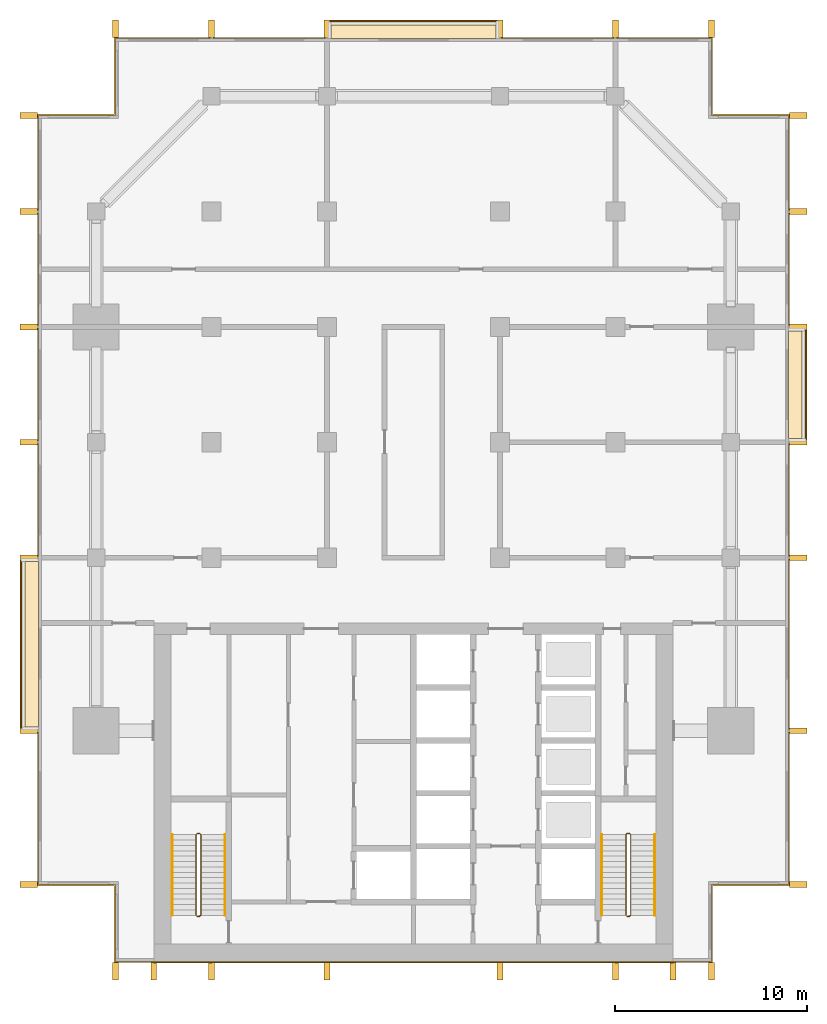
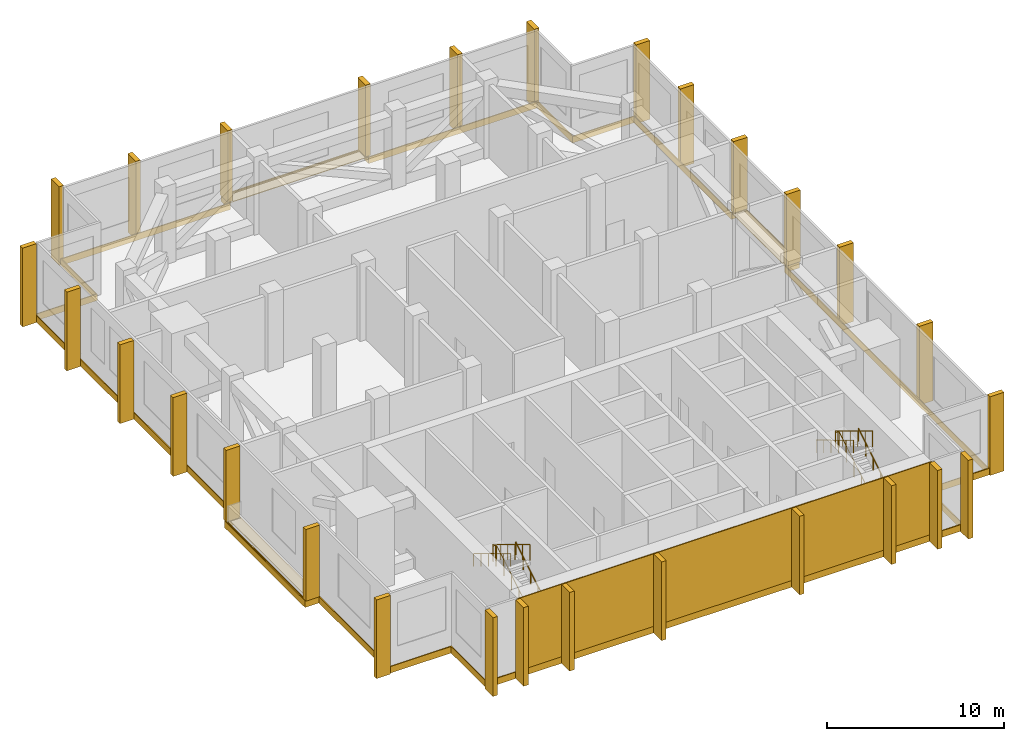
# One storey, part 10 of 11: 28 shading devices, 9 coverings, 6 railings.
"""IFC4 building model written with IfcOpenShell, lengths in metres."""

from ifc_helpers import new_model, si_unit, direction, frame, origin, origin_2d, place, context, subcontext, project, spatial, polyline, rectangle, circle, outline, extrude, material, layer, layer_set, type_object, element, save


model = new_model("IFC4")

# Units and contexts
model_context = context("Model", 3, precision=1e-05, world=origin(), true_north=direction((0.0, 1.0)))
body_context = subcontext(model_context, "Body", "Model", "MODEL_VIEW")
ifc_project = project(units=[si_unit("LENGTHUNIT", "METRE"), si_unit("AREAUNIT", "SQUARE_METRE"), si_unit("VOLUMEUNIT", "CUBIC_METRE"), si_unit("PLANEANGLEUNIT", "RADIAN"), si_unit("MASSUNIT", "GRAM", prefix="KILO")], contexts=[model_context])

# Site, building, storey
site_placement = place(None, origin())
site = spatial("IfcSite", under=ifc_project, at=site_placement, CompositionType="ELEMENT")
building_placement = place(site_placement, origin())
building = spatial("IfcBuilding", under=site, at=building_placement, Name="Finial Court Residences", CompositionType="ELEMENT")
storey_placement = place(building_placement, frame((0.0, 0.0, 199.699951171875)))
storey = spatial("IfcBuildingStorey", under=building, at=storey_placement, Name="L50", CompositionType="ELEMENT", Elevation=199.699951171875)

# Coverings
ifc_material_1 = material(Name="Natural limestone", Category="masonry")
ifc_layer_1 = layer(ifc_material_1, 0.06005859375)
ifc_layer_set_1 = layer_set([ifc_layer_1], Name="Limestone cladding to the blind core face 60")
covering_type_1 = type_object("IfcCoveringType", Name="Limestone cladding to the blind core face 60", PredefinedType="CLADDING", material=ifc_layer_set_1)
covering_1_placement = place(storey_placement, origin())
element("IfcCovering", 1, at=covering_1_placement, inside=storey, type_object=covering_type_1, Name="E-L50-CLAD1", PredefinedType="CLADDING", context=body_context, shape_type="SweptSolid", body=[
    extrude(outline(polyline([(-10.5, -25.56005859375), (-10.5, -25.5), (-13.5, -25.5), (-13.5, -25.56005859375), (-10.5, -25.56005859375)])), origin(), (0.0, 0.0, 1.0), 5.0),
])
covering_2_placement = place(storey_placement, origin())
element("IfcCovering", 2, at=covering_2_placement, inside=storey, type_object=covering_type_1, Name="E-L50-CLAD2", PredefinedType="CLADDING", context=body_context, shape_type="SweptSolid", body=[
    extrude(outline(polyline([(-4.5, -25.56005859375), (-4.5, -25.5), (-10.5, -25.5), (-10.5, -25.56005859375), (-4.5, -25.56005859375)])), origin(), (0.0, 0.0, 1.0), 5.0),
])
covering_3_placement = place(storey_placement, origin())
element("IfcCovering", 3, at=covering_3_placement, inside=storey, type_object=covering_type_1, Name="E-L50-CLAD3", PredefinedType="CLADDING", context=body_context, shape_type="SweptSolid", body=[
    extrude(outline(polyline([(4.5, -25.56005859375), (4.5, -25.5), (-4.5, -25.5), (-4.5, -25.56005859375), (4.5, -25.56005859375)])), origin(), (0.0, 0.0, 1.0), 5.0),
])
covering_4_placement = place(storey_placement, origin())
element("IfcCovering", 4, at=covering_4_placement, inside=storey, type_object=covering_type_1, Name="E-L50-CLAD4", PredefinedType="CLADDING", context=body_context, shape_type="SweptSolid", body=[
    extrude(outline(polyline([(10.5, -25.56005859375), (10.5, -25.5), (4.5, -25.5), (4.5, -25.56005859375), (10.5, -25.56005859375)])), origin(), (0.0, 0.0, 1.0), 5.0),
])
covering_5_placement = place(storey_placement, origin())
element("IfcCovering", 5, at=covering_5_placement, inside=storey, type_object=covering_type_1, Name="E-L50-CLAD5", PredefinedType="CLADDING", context=body_context, shape_type="SweptSolid", body=[
    extrude(outline(polyline([(13.5, -25.56005859375), (13.5, -25.5), (10.5, -25.5), (10.5, -25.56005859375), (13.5, -25.56005859375)])), origin(), (0.0, 0.0, 1.0), 5.0),
])

# Shading devices
shading_device_type = type_object("IfcShadingDeviceType", Name="Limestone fin 300 x 900", PredefinedType="USERDEFINED", material=ifc_material_1)
for number, where, z_axis, x_axis, name in (
    (6, (-15.5, 23.010009765625, -0.44970703125), (0.0, 0.0, 1.0), (1.0, 0.0, 0.0), "E-L50-FIN-N1"),
    (7, (-10.5, 23.010009765625, -0.44970703125), (0.0, 0.0, 1.0), (1.0, 0.0, 0.0), "E-L50-FIN-N2"),
):
    element("IfcShadingDevice", number, at=place(storey_placement, frame(where, z_axis=z_axis, x_axis=x_axis)), inside=storey, type_object=shading_device_type, Name=name, ObjectType="FIN", PredefinedType="USERDEFINED", context=body_context, shape_type="SweptSolid", body=[
        extrude(rectangle(XDim=0.300048828125, YDim=0.89990234375, at=origin_2d()), origin(), (0.0, 0.0, 1.0), 5.429931640625),
    ])
for number, where, z_axis, x_axis, name in (
    (8, (-4.5, 23.010009765625, 0.0400390625), (0.0, 0.0, 1.0), (1.0, 0.0, 0.0), "E-L50-FIN-N3"),
    (9, (4.5, 23.010009765625, 0.0400390625), (0.0, 0.0, 1.0), (1.0, 0.0, 0.0), "E-L50-FIN-N4"),
):
    element("IfcShadingDevice", number, at=place(storey_placement, frame(where, z_axis=z_axis, x_axis=x_axis)), inside=storey, type_object=shading_device_type, Name=name, ObjectType="FIN", PredefinedType="USERDEFINED", context=body_context, shape_type="SweptSolid", body=[
        extrude(rectangle(XDim=0.300048828125, YDim=0.89990234375, at=origin_2d()), origin(), (0.0, 0.0, 1.0), 4.93994140625),
    ])
for number, where, z_axis, x_axis, name in (
    (10, (10.5, 23.010009765625, -0.44970703125), (0.0, 0.0, 1.0), (1.0, 0.0, 0.0), "E-L50-FIN-N5"),
    (11, (15.5, 23.010009765625, -0.44970703125), (0.0, 0.0, 1.0), (1.0, 0.0, 0.0), "E-L50-FIN-N6"),
):
    element("IfcShadingDevice", number, at=place(storey_placement, frame(where, z_axis=z_axis, x_axis=x_axis)), inside=storey, type_object=shading_device_type, Name=name, ObjectType="FIN", PredefinedType="USERDEFINED", context=body_context, shape_type="SweptSolid", body=[
        extrude(rectangle(XDim=0.300048828125, YDim=0.89990234375, at=origin_2d()), origin(), (0.0, 0.0, 1.0), 5.429931640625),
    ])
for number, where, z_axis, x_axis, name in (
    (12, (20.010009765625, -21.5, -0.44970703125), (0.0, 0.0, 1.0), (1.0, 0.0, 0.0), "E-L50-FIN-E7"),
    (13, (20.010009765625, -13.5, -0.44970703125), (0.0, 0.0, 1.0), (1.0, 0.0, 0.0), "E-L50-FIN-E8"),
    (14, (20.010009765625, -4.5, -0.44970703125), (0.0, 0.0, 1.0), (1.0, 0.0, 0.0), "E-L50-FIN-E9"),
):
    element("IfcShadingDevice", number, at=place(storey_placement, frame(where, z_axis=z_axis, x_axis=x_axis)), inside=storey, type_object=shading_device_type, Name=name, ObjectType="FIN", PredefinedType="USERDEFINED", context=body_context, shape_type="SweptSolid", body=[
        extrude(rectangle(XDim=0.89990234375, YDim=0.300048828125, at=origin_2d()), origin(), (0.0, 0.0, 1.0), 5.429931640625),
    ])
for number, where, z_axis, x_axis, name in (
    (15, (20.010009765625, 1.5, 0.0400390625), (0.0, 0.0, 1.0), (1.0, 0.0, 0.0), "E-L50-FIN-E10"),
    (16, (20.010009765625, 7.5, 0.0400390625), (0.0, 0.0, 1.0), (1.0, 0.0, 0.0), "E-L50-FIN-E11"),
):
    element("IfcShadingDevice", number, at=place(storey_placement, frame(where, z_axis=z_axis, x_axis=x_axis)), inside=storey, type_object=shading_device_type, Name=name, ObjectType="FIN", PredefinedType="USERDEFINED", context=body_context, shape_type="SweptSolid", body=[
        extrude(rectangle(XDim=0.89990234375, YDim=0.300048828125, at=origin_2d()), origin(), (0.0, 0.0, 1.0), 4.93994140625),
    ])
for number, where, z_axis, x_axis, name in (
    (17, (20.010009765625, 13.5, -0.44970703125), (0.0, 0.0, 1.0), (1.0, 0.0, 0.0), "E-L50-FIN-E12"),
    (18, (20.010009765625, 18.5, -0.44970703125), (0.0, 0.0, 1.0), (1.0, 0.0, 0.0), "E-L50-FIN-E13"),
):
    element("IfcShadingDevice", number, at=place(storey_placement, frame(where, z_axis=z_axis, x_axis=x_axis)), inside=storey, type_object=shading_device_type, Name=name, ObjectType="FIN", PredefinedType="USERDEFINED", context=body_context, shape_type="SweptSolid", body=[
        extrude(rectangle(XDim=0.89990234375, YDim=0.300048828125, at=origin_2d()), origin(), (0.0, 0.0, 1.0), 5.429931640625),
    ])
for number, where, z_axis, x_axis, name in (
    (19, (-15.5, -26.010009765625, -0.44970703125), (0.0, 0.0, 1.0), (1.0, 0.0, 0.0), "E-L50-FIN-S14"),
    (20, (-13.5, -26.010009765625, -0.44970703125), (0.0, 0.0, 1.0), (1.0, 0.0, 0.0), "E-L50-FIN-S15"),
    (21, (-10.5, -26.010009765625, -0.44970703125), (0.0, 0.0, 1.0), (1.0, 0.0, 0.0), "E-L50-FIN-S16"),
    (22, (-4.5, -26.010009765625, -0.44970703125), (0.0, 0.0, 1.0), (1.0, 0.0, 0.0), "E-L50-FIN-S17"),
    (23, (4.5, -26.010009765625, -0.44970703125), (0.0, 0.0, 1.0), (1.0, 0.0, 0.0), "E-L50-FIN-S18"),
    (24, (10.5, -26.010009765625, -0.44970703125), (0.0, 0.0, 1.0), (1.0, 0.0, 0.0), "E-L50-FIN-S19"),
    (25, (13.5, -26.010009765625, -0.44970703125), (0.0, 0.0, 1.0), (1.0, 0.0, 0.0), "E-L50-FIN-S20"),
    (26, (15.5, -26.010009765625, -0.44970703125), (0.0, 0.0, 1.0), (1.0, 0.0, 0.0), "E-L50-FIN-S21"),
):
    element("IfcShadingDevice", number, at=place(storey_placement, frame(where, z_axis=z_axis, x_axis=x_axis)), inside=storey, type_object=shading_device_type, Name=name, ObjectType="FIN", PredefinedType="USERDEFINED", context=body_context, shape_type="SweptSolid", body=[
        extrude(rectangle(XDim=0.300048828125, YDim=0.89990234375, at=origin_2d()), origin(), (0.0, 0.0, 1.0), 5.429931640625),
    ])
shading_device_placement = place(storey_placement, frame((-20.010009765625, -21.5, -0.44970703125), z_axis=(0.0, 0.0, 1.0), x_axis=(1.0, 0.0, 0.0)))
element("IfcShadingDevice", 27, at=shading_device_placement, inside=storey, type_object=shading_device_type, Name="E-L50-FIN-W22", ObjectType="FIN", PredefinedType="USERDEFINED", context=body_context, shape_type="SweptSolid", body=[
    extrude(rectangle(XDim=0.89990234375, YDim=0.300048828125, at=origin_2d()), origin(), (0.0, 0.0, 1.0), 5.429931640625),
])
for number, where, z_axis, x_axis, name in (
    (28, (-20.010009765625, -13.5, 0.0400390625), (0.0, 0.0, 1.0), (1.0, 0.0, 0.0), "E-L50-FIN-W23"),
    (29, (-20.010009765625, -4.5, 0.0400390625), (0.0, 0.0, 1.0), (1.0, 0.0, 0.0), "E-L50-FIN-W24"),
):
    element("IfcShadingDevice", number, at=place(storey_placement, frame(where, z_axis=z_axis, x_axis=x_axis)), inside=storey, type_object=shading_device_type, Name=name, ObjectType="FIN", PredefinedType="USERDEFINED", context=body_context, shape_type="SweptSolid", body=[
        extrude(rectangle(XDim=0.89990234375, YDim=0.300048828125, at=origin_2d()), origin(), (0.0, 0.0, 1.0), 4.93994140625),
    ])
for number, where, z_axis, x_axis, name in (
    (30, (-20.010009765625, 1.5, -0.44970703125), (0.0, 0.0, 1.0), (1.0, 0.0, 0.0), "E-L50-FIN-W25"),
    (31, (-20.010009765625, 7.5, -0.44970703125), (0.0, 0.0, 1.0), (1.0, 0.0, 0.0), "E-L50-FIN-W26"),
    (32, (-20.010009765625, 13.5, -0.44970703125), (0.0, 0.0, 1.0), (1.0, 0.0, 0.0), "E-L50-FIN-W27"),
    (33, (-20.010009765625, 18.5, -0.44970703125), (0.0, 0.0, 1.0), (1.0, 0.0, 0.0), "E-L50-FIN-W28"),
):
    element("IfcShadingDevice", number, at=place(storey_placement, frame(where, z_axis=z_axis, x_axis=x_axis)), inside=storey, type_object=shading_device_type, Name=name, ObjectType="FIN", PredefinedType="USERDEFINED", context=body_context, shape_type="SweptSolid", body=[
        extrude(rectangle(XDim=0.89990234375, YDim=0.300048828125, at=origin_2d()), origin(), (0.0, 0.0, 1.0), 5.429931640625),
    ])

# Coverings
ifc_material_2 = material(Name="Pale limestone", Category="masonry")
ifc_layer_2 = layer(ifc_material_2, 0.06005859375)
ifc_layer_set_2 = layer_set([ifc_layer_2], Name="Pale limestone slab-edge band 60")
covering_type_2 = type_object("IfcCoveringType", Name="Pale limestone slab-edge band 60", PredefinedType="CLADDING", material=ifc_layer_set_2)
covering_6_placement = place(storey_placement, frame((0.0, 0.0, -0.449951171875)))
element("IfcCovering", 34, at=covering_6_placement, inside=storey, type_object=covering_type_2, Name="E-L50-BAND1", PredefinedType="CLADDING", context=body_context, shape_type="SweptSolid", body=[
    extrude(outline(polyline([(-19.56005859375, 18.56005859375), (-15.56005859375, 18.56005859375), (-15.56005859375, 22.56005859375), (-4.56005859375, 22.56005859375), (-4.56005859375, 23.4599609375), (4.56005859375, 23.4599609375), (4.56005859375, 22.56005859375), (15.56005859375, 22.56005859375), (15.56005859375, 18.56005859375), (19.56005859375, 18.56005859375), (19.56005859375, 7.56005859375), (20.4599609375, 7.56005859375), (20.4599609375, 1.43994140625), (19.56005859375, 1.43994140625), (19.56005859375, -21.56005859375), (15.56005859375, -21.56005859375), (15.56005859375, -25.56005859375), (-15.56005859375, -25.56005859375), (-15.56005859375, -21.56005859375), (-19.56005859375, -21.56005859375), (-19.56005859375, -13.56005859375), (-20.4599609375, -13.56005859375), (-20.4599609375, -4.43994140625), (-19.56005859375, -4.43994140625), (-19.56005859375, 18.56005859375)]), holes=[polyline([(-20.39990234375, -4.5), (-20.39990234375, -13.5), (-19.5, -13.5), (-19.5, -21.5), (-15.5, -21.5), (-15.5, -25.5), (15.5, -25.5), (15.5, -21.5), (19.5, -21.5), (19.5, 1.5), (20.39990234375, 1.5), (20.39990234375, 7.5), (19.5, 7.5), (19.5, 18.5), (15.5, 18.5), (15.5, 22.5), (4.5, 22.5), (4.5, 23.39990234375), (-4.5, 23.39990234375), (-4.5, 22.5), (-15.5, 22.5), (-15.5, 18.5), (-19.5, 18.5), (-19.5, -4.5), (-20.39990234375, -4.5)])]), origin(), (0.0, 0.0, 1.0), 0.449951171875),
])
ifc_material_3 = material(Name="Bitumen membrane")
ifc_layer_3 = layer(ifc_material_3, 0.0400390625)
ifc_layer_set_3 = layer_set([ifc_layer_3], Name="Push box roofing, bitumen membrane 40")
covering_type_3 = type_object("IfcCoveringType", Name="Push box roofing, bitumen membrane 40", PredefinedType="ROOFING", material=ifc_layer_set_3)
covering_7_placement = place(storey_placement, origin())
element("IfcCovering", 35, at=covering_7_placement, inside=storey, type_object=covering_type_3, Name="E-L50-LED1b", PredefinedType="ROOFING", context=body_context, shape_type="SweptSolid", body=[
    extrude(outline(polyline([(4.5, 22.5), (-4.5, 22.5), (-4.5, 23.39990234375), (4.300048828125, 23.39990234375), (4.300048828125, 23.35009765625), (-4.300048828125, 23.35009765625), (-4.300048828125, 23.35009765625), (-4.449951171875, 23.35009765625), (-4.449951171875, 22.510009765625), (-4.300048828125, 22.510009765625), (-4.300048828125, 23.199951171875), (4.300048828125, 23.199951171875), (4.300048828125, 22.510009765625), (4.449951171875, 22.510009765625), (4.449951171875, 23.199951171875), (4.5, 23.199951171875), (4.5, 22.5)])), origin(), (0.0, 0.0, 1.0), 0.0400390625),
])
covering_8_placement = place(storey_placement, origin())
element("IfcCovering", 36, at=covering_8_placement, inside=storey, type_object=covering_type_3, Name="E-L50-LED2b", PredefinedType="ROOFING", context=body_context, shape_type="SweptSolid", body=[
    extrude(outline(polyline([(19.5, 1.5), (19.5, 7.5), (20.39990234375, 7.5), (20.39990234375, 1.699951171875), (20.35009765625, 1.699951171875), (20.35009765625, 7.300048828125), (20.35009765625, 7.300048828125), (20.35009765625, 7.449951171875), (19.510009765625, 7.449951171875), (19.510009765625, 7.300048828125), (20.199951171875, 7.300048828125), (20.199951171875, 1.699951171875), (19.510009765625, 1.699951171875), (19.510009765625, 1.550048828125), (20.199951171875, 1.550048828125), (20.199951171875, 1.5), (19.5, 1.5)])), origin(), (0.0, 0.0, 1.0), 0.0400390625),
])
covering_9_placement = place(storey_placement, origin())
element("IfcCovering", 37, at=covering_9_placement, inside=storey, type_object=covering_type_3, Name="E-L50-LED3b", PredefinedType="ROOFING", context=body_context, shape_type="SweptSolid", body=[
    extrude(outline(polyline([(-19.5, -4.5), (-19.5, -13.5), (-20.39990234375, -13.5), (-20.39990234375, -4.699951171875), (-20.35009765625, -4.699951171875), (-20.35009765625, -13.300048828125), (-20.35009765625, -13.300048828125), (-20.35009765625, -13.449951171875), (-19.510009765625, -13.449951171875), (-19.510009765625, -13.300048828125), (-20.199951171875, -13.300048828125), (-20.199951171875, -4.699951171875), (-19.510009765625, -4.699951171875), (-19.510009765625, -4.550048828125), (-20.199951171875, -4.550048828125), (-20.199951171875, -4.5), (-19.5, -4.5)])), origin(), (0.0, 0.0, 1.0), 0.0400390625),
])

# Railings
ifc_material_4 = material(Name="Stainless steel railing", Category="steel")
railing_type_1 = type_object("IfcRailingType", Name="Stair guard 1100", PredefinedType="GUARDRAIL", material=ifc_material_4)
railing_1_placement = place(storey_placement, frame((-11.10009765625, -23.14990234375, 0.0)))
element("IfcRailing", 38, at=railing_1_placement, inside=storey, type_object=railing_type_1, Name="L50 ST-1 stair guard 1", PredefinedType="GUARDRAIL", context=body_context, shape_type="SweptSolid", body=[
    extrude(circle(Radius=0.02392578125, at=origin_2d()), frame((0.0, 0.0, 1.076171875), z_axis=(-1.0, 0.0, 0.0), x_axis=(0.0, -1.0, 0.0)), (0.0, 0.0, 1.0), 0.14990234375),
    extrude(circle(Radius=0.02392578125, at=origin_2d()), frame((-0.14990234375, 0.0, 1.076171875), z_axis=(0.750820867278, 0.187017651923, 0.633476458228), x_axis=(-0.241699205484, 0.970351222016, 0.0)), (0.0, 0.0, 1.0), 0.266357421875),
    extrude(circle(Radius=0.02392578125, at=origin_2d()), frame((0.050048828125, 0.0498046875, 1.24462890625), z_axis=(0.0, 0.856489757249, 0.516164020179), x_axis=(-1.0, 0.0, 0.0)), (0.0, 0.0, 1.0), 4.904052734375),
    extrude(circle(Radius=0.02392578125, at=origin_2d()), frame((0.050048828125, 4.25, 3.77587890625), z_axis=(-0.708833529934, 0.705375805398, 0.0), x_axis=(-0.705375805398, -0.708833529934, 0.0)), (0.0, 0.0, 1.0), 0.070556640625),
    extrude(circle(Radius=0.02392578125, at=origin_2d()), frame((0.0, 4.2998046875, 3.77587890625), z_axis=(-1.0, 0.0, 0.0), x_axis=(0.0, -1.0, 0.0)), (0.0, 0.0, 1.0), 0.14990234375),
    extrude(circle(Radius=0.02392578125, at=origin_2d()), frame((-0.14990234375, 4.2998046875, 3.77587890625), z_axis=(-0.273332118527, -0.271998791119, 0.922662565953), x_axis=(0.705375805398, -0.708833529934, 0.0)), (0.0, 0.0, 1.0), 0.18310546875),
    extrude(circle(Radius=0.02392578125, at=origin_2d()), frame((-0.199951171875, 4.25, 3.94482421875), z_axis=(0.0, -0.856489757249, 0.516164020179), x_axis=(1.0, 0.0, 0.0)), (0.0, 0.0, 1.0), 4.904052734375),
    extrude(circle(Radius=0.02099609375, at=origin_2d()), origin(), (0.0, 0.0, 1.0), 1.052001953125),
    extrude(circle(Radius=0.02099609375, at=origin_2d()), frame((-0.14990234375, 0.0, 0.0)), (0.0, 0.0, 1.0), 1.052001953125),
    extrude(circle(Radius=0.02099609375, at=origin_2d()), frame((0.050048828125, 0.0498046875, 0.168701171875)), (0.0, 0.0, 1.0), 1.052001953125),
    extrude(circle(Radius=0.02099609375, at=origin_2d()), frame((0.050048828125, 0.889892578125, 0.675048828125)), (0.0, 0.0, 1.0), 1.052001953125),
    extrude(circle(Radius=0.02099609375, at=origin_2d()), frame((0.050048828125, 1.72998046875, 1.18115234375)), (0.0, 0.0, 1.0), 1.052001953125),
    extrude(circle(Radius=0.02099609375, at=origin_2d()), frame((0.050048828125, 2.56982421875, 1.6875)), (0.0, 0.0, 1.0), 1.052001953125),
    extrude(circle(Radius=0.02099609375, at=origin_2d()), frame((0.050048828125, 3.409912109375, 2.193603515625)), (0.0, 0.0, 1.0), 1.052001953125),
    extrude(circle(Radius=0.02099609375, at=origin_2d()), frame((0.050048828125, 4.25, 2.699951171875)), (0.0, 0.0, 1.0), 1.052001953125),
    extrude(circle(Radius=0.02099609375, at=origin_2d()), frame((0.0, 4.2998046875, 2.699951171875)), (0.0, 0.0, 1.0), 1.052001953125),
    extrude(circle(Radius=0.02099609375, at=origin_2d()), frame((-0.14990234375, 4.2998046875, 2.699951171875)), (0.0, 0.0, 1.0), 1.052001953125),
    extrude(circle(Radius=0.02099609375, at=origin_2d()), frame((-0.199951171875, 4.25, 2.868896484375)), (0.0, 0.0, 1.0), 1.052001953125),
    extrude(circle(Radius=0.02099609375, at=origin_2d()), frame((-0.199951171875, 3.409912109375, 3.375244140625)), (0.0, 0.0, 1.0), 1.052001953125),
    extrude(circle(Radius=0.02099609375, at=origin_2d()), frame((-0.199951171875, 2.56982421875, 3.88134765625)), (0.0, 0.0, 1.0), 1.052001953125),
    extrude(circle(Radius=0.02099609375, at=origin_2d()), frame((-0.199951171875, 1.72998046875, 4.3876953125)), (0.0, 0.0, 1.0), 1.052001953125),
    extrude(circle(Radius=0.02099609375, at=origin_2d()), frame((-0.199951171875, 0.889892578125, 4.893798828125)), (0.0, 0.0, 1.0), 1.052001953125),
    extrude(circle(Radius=0.02099609375, at=origin_2d()), frame((-0.199951171875, 0.0498046875, 5.400146484375)), (0.0, 0.0, 1.0), 1.052001953125),
])
railing_2_placement = place(storey_placement, frame((11.25, -23.14990234375, 0.0)))
element("IfcRailing", 39, at=railing_2_placement, inside=storey, type_object=railing_type_1, Name="L50 ST-2 stair guard 1", PredefinedType="GUARDRAIL", context=body_context, shape_type="SweptSolid", body=[
    extrude(circle(Radius=0.02392578125, at=origin_2d()), frame((0.0, 0.0, 1.076171875), z_axis=(-1.0, 0.0, 0.0), x_axis=(0.0, -1.0, 0.0)), (0.0, 0.0, 1.0), 0.14990234375),
    extrude(circle(Radius=0.02392578125, at=origin_2d()), frame((-0.14990234375, 0.0, 1.076171875), z_axis=(0.750820867278, 0.187017651923, 0.633476458228), x_axis=(-0.241699205484, 0.970351222016, 0.0)), (0.0, 0.0, 1.0), 0.266357421875),
    extrude(circle(Radius=0.02392578125, at=origin_2d()), frame((0.050048828125, 0.0498046875, 1.24462890625), z_axis=(0.0, 0.856489757249, 0.516164020179), x_axis=(-1.0, 0.0, 0.0)), (0.0, 0.0, 1.0), 4.904052734375),
    extrude(circle(Radius=0.02392578125, at=origin_2d()), frame((0.050048828125, 4.25, 3.77587890625), z_axis=(-0.708833529934, 0.705375805398, 0.0), x_axis=(-0.705375805398, -0.708833529934, 0.0)), (0.0, 0.0, 1.0), 0.070556640625),
    extrude(circle(Radius=0.02392578125, at=origin_2d()), frame((0.0, 4.2998046875, 3.77587890625), z_axis=(-1.0, 0.0, 0.0), x_axis=(0.0, -1.0, 0.0)), (0.0, 0.0, 1.0), 0.14990234375),
    extrude(circle(Radius=0.02392578125, at=origin_2d()), frame((-0.14990234375, 4.2998046875, 3.77587890625), z_axis=(-0.273332118527, -0.271998791119, 0.922662565953), x_axis=(0.705375805398, -0.708833529934, 0.0)), (0.0, 0.0, 1.0), 0.18310546875),
    extrude(circle(Radius=0.02392578125, at=origin_2d()), frame((-0.199951171875, 4.25, 3.94482421875), z_axis=(0.0, -0.856489757249, 0.516164020179), x_axis=(1.0, 0.0, 0.0)), (0.0, 0.0, 1.0), 4.904052734375),
    extrude(circle(Radius=0.02099609375, at=origin_2d()), origin(), (0.0, 0.0, 1.0), 1.052001953125),
    extrude(circle(Radius=0.02099609375, at=origin_2d()), frame((-0.14990234375, 0.0, 0.0)), (0.0, 0.0, 1.0), 1.052001953125),
    extrude(circle(Radius=0.02099609375, at=origin_2d()), frame((0.050048828125, 0.0498046875, 0.168701171875)), (0.0, 0.0, 1.0), 1.052001953125),
    extrude(circle(Radius=0.02099609375, at=origin_2d()), frame((0.050048828125, 0.889892578125, 0.675048828125)), (0.0, 0.0, 1.0), 1.052001953125),
    extrude(circle(Radius=0.02099609375, at=origin_2d()), frame((0.050048828125, 1.72998046875, 1.18115234375)), (0.0, 0.0, 1.0), 1.052001953125),
    extrude(circle(Radius=0.02099609375, at=origin_2d()), frame((0.050048828125, 2.56982421875, 1.6875)), (0.0, 0.0, 1.0), 1.052001953125),
    extrude(circle(Radius=0.02099609375, at=origin_2d()), frame((0.050048828125, 3.409912109375, 2.193603515625)), (0.0, 0.0, 1.0), 1.052001953125),
    extrude(circle(Radius=0.02099609375, at=origin_2d()), frame((0.050048828125, 4.25, 2.699951171875)), (0.0, 0.0, 1.0), 1.052001953125),
    extrude(circle(Radius=0.02099609375, at=origin_2d()), frame((0.0, 4.2998046875, 2.699951171875)), (0.0, 0.0, 1.0), 1.052001953125),
    extrude(circle(Radius=0.02099609375, at=origin_2d()), frame((-0.14990234375, 4.2998046875, 2.699951171875)), (0.0, 0.0, 1.0), 1.052001953125),
    extrude(circle(Radius=0.02099609375, at=origin_2d()), frame((-0.199951171875, 4.25, 2.868896484375)), (0.0, 0.0, 1.0), 1.052001953125),
    extrude(circle(Radius=0.02099609375, at=origin_2d()), frame((-0.199951171875, 3.409912109375, 3.375244140625)), (0.0, 0.0, 1.0), 1.052001953125),
    extrude(circle(Radius=0.02099609375, at=origin_2d()), frame((-0.199951171875, 2.56982421875, 3.88134765625)), (0.0, 0.0, 1.0), 1.052001953125),
    extrude(circle(Radius=0.02099609375, at=origin_2d()), frame((-0.199951171875, 1.72998046875, 4.3876953125)), (0.0, 0.0, 1.0), 1.052001953125),
    extrude(circle(Radius=0.02099609375, at=origin_2d()), frame((-0.199951171875, 0.889892578125, 4.893798828125)), (0.0, 0.0, 1.0), 1.052001953125),
    extrude(circle(Radius=0.02099609375, at=origin_2d()), frame((-0.199951171875, 0.0498046875, 5.400146484375)), (0.0, 0.0, 1.0), 1.052001953125),
])
railing_type_2 = type_object("IfcRailingType", Name="Stair handrail 900", PredefinedType="HANDRAIL", material=ifc_material_4)
railing_3_placement = place(storey_placement, frame((-9.800048828125, -23.10009765625, 0.168701171875)))
element("IfcRailing", 40, at=railing_3_placement, inside=storey, type_object=railing_type_2, Name="L50 ST-1 stair handrail 1", PredefinedType="HANDRAIL", context=body_context, shape_type="SweptSolid", body=[
    extrude(circle(Radius=0.02392578125, at=origin_2d()), frame((0.0, 0.0, 0.8759765625), z_axis=(0.0, 0.856489757249, 0.516164020179), x_axis=(-1.0, 0.0, 0.0)), (0.0, 0.0, 1.0), 4.904052734375),
    extrude(circle(Radius=0.02099609375, at=origin_2d()), origin(), (0.0, 0.0, 1.0), 0.851806640625),
    extrude(circle(Radius=0.02099609375, at=origin_2d()), frame((0.0, 0.840087890625, 0.50634765625)), (0.0, 0.0, 1.0), 0.851806640625),
    extrude(circle(Radius=0.02099609375, at=origin_2d()), frame((0.0, 1.68017578125, 1.012451171875)), (0.0, 0.0, 1.0), 0.851806640625),
    extrude(circle(Radius=0.02099609375, at=origin_2d()), frame((0.0, 2.52001953125, 1.518798828125)), (0.0, 0.0, 1.0), 0.851806640625),
    extrude(circle(Radius=0.02099609375, at=origin_2d()), frame((0.0, 3.360107421875, 2.02490234375)), (0.0, 0.0, 1.0), 0.851806640625),
    extrude(circle(Radius=0.02099609375, at=origin_2d()), frame((0.0, 4.2001953125, 2.53125)), (0.0, 0.0, 1.0), 0.851806640625),
])
railing_4_placement = place(storey_placement, frame((-12.550048828125, -18.89990234375, 2.868896484375)))
element("IfcRailing", 41, at=railing_4_placement, inside=storey, type_object=railing_type_2, Name="L50 ST-1 stair handrail 2", PredefinedType="HANDRAIL", context=body_context, shape_type="SweptSolid", body=[
    extrude(circle(Radius=0.02392578125, at=origin_2d()), frame((0.0, 0.0, 0.8759765625), z_axis=(0.0, -0.856489757249, 0.516164020179), x_axis=(1.0, 0.0, 0.0)), (0.0, 0.0, 1.0), 4.904052734375),
    extrude(circle(Radius=0.02099609375, at=origin_2d()), origin(), (0.0, 0.0, 1.0), 0.851806640625),
    extrude(circle(Radius=0.02099609375, at=origin_2d()), frame((0.0, -0.840087890625, 0.50634765625)), (0.0, 0.0, 1.0), 0.851806640625),
    extrude(circle(Radius=0.02099609375, at=origin_2d()), frame((0.0, -1.68017578125, 1.012451171875)), (0.0, 0.0, 1.0), 0.851806640625),
    extrude(circle(Radius=0.02099609375, at=origin_2d()), frame((0.0, -2.52001953125, 1.518798828125)), (0.0, 0.0, 1.0), 0.851806640625),
    extrude(circle(Radius=0.02099609375, at=origin_2d()), frame((0.0, -3.360107421875, 2.02490234375)), (0.0, 0.0, 1.0), 0.851806640625),
    extrude(circle(Radius=0.02099609375, at=origin_2d()), frame((0.0, -4.2001953125, 2.53125)), (0.0, 0.0, 1.0), 0.851806640625),
])
railing_5_placement = place(storey_placement, frame((12.550048828125, -23.10009765625, 0.168701171875)))
element("IfcRailing", 42, at=railing_5_placement, inside=storey, type_object=railing_type_2, Name="L50 ST-2 stair handrail 1", PredefinedType="HANDRAIL", context=body_context, shape_type="SweptSolid", body=[
    extrude(circle(Radius=0.02392578125, at=origin_2d()), frame((0.0, 0.0, 0.8759765625), z_axis=(0.0, 0.856489757249, 0.516164020179), x_axis=(-1.0, 0.0, 0.0)), (0.0, 0.0, 1.0), 4.904052734375),
    extrude(circle(Radius=0.02099609375, at=origin_2d()), origin(), (0.0, 0.0, 1.0), 0.851806640625),
    extrude(circle(Radius=0.02099609375, at=origin_2d()), frame((0.0, 0.840087890625, 0.50634765625)), (0.0, 0.0, 1.0), 0.851806640625),
    extrude(circle(Radius=0.02099609375, at=origin_2d()), frame((0.0, 1.68017578125, 1.012451171875)), (0.0, 0.0, 1.0), 0.851806640625),
    extrude(circle(Radius=0.02099609375, at=origin_2d()), frame((0.0, 2.52001953125, 1.518798828125)), (0.0, 0.0, 1.0), 0.851806640625),
    extrude(circle(Radius=0.02099609375, at=origin_2d()), frame((0.0, 3.360107421875, 2.02490234375)), (0.0, 0.0, 1.0), 0.851806640625),
    extrude(circle(Radius=0.02099609375, at=origin_2d()), frame((0.0, 4.2001953125, 2.53125)), (0.0, 0.0, 1.0), 0.851806640625),
])
railing_6_placement = place(storey_placement, frame((9.800048828125, -18.89990234375, 2.868896484375)))
element("IfcRailing", 43, at=railing_6_placement, inside=storey, type_object=railing_type_2, Name="L50 ST-2 stair handrail 2", PredefinedType="HANDRAIL", context=body_context, shape_type="SweptSolid", body=[
    extrude(circle(Radius=0.02392578125, at=origin_2d()), frame((0.0, 0.0, 0.8759765625), z_axis=(0.0, -0.856489757249, 0.516164020179), x_axis=(1.0, 0.0, 0.0)), (0.0, 0.0, 1.0), 4.904052734375),
    extrude(circle(Radius=0.02099609375, at=origin_2d()), origin(), (0.0, 0.0, 1.0), 0.851806640625),
    extrude(circle(Radius=0.02099609375, at=origin_2d()), frame((0.0, -0.840087890625, 0.50634765625)), (0.0, 0.0, 1.0), 0.851806640625),
    extrude(circle(Radius=0.02099609375, at=origin_2d()), frame((0.0, -1.68017578125, 1.012451171875)), (0.0, 0.0, 1.0), 0.851806640625),
    extrude(circle(Radius=0.02099609375, at=origin_2d()), frame((0.0, -2.52001953125, 1.518798828125)), (0.0, 0.0, 1.0), 0.851806640625),
    extrude(circle(Radius=0.02099609375, at=origin_2d()), frame((0.0, -3.360107421875, 2.02490234375)), (0.0, 0.0, 1.0), 0.851806640625),
    extrude(circle(Radius=0.02099609375, at=origin_2d()), frame((0.0, -4.2001953125, 2.53125)), (0.0, 0.0, 1.0), 0.851806640625),
])

save(model, "model.ifc")
